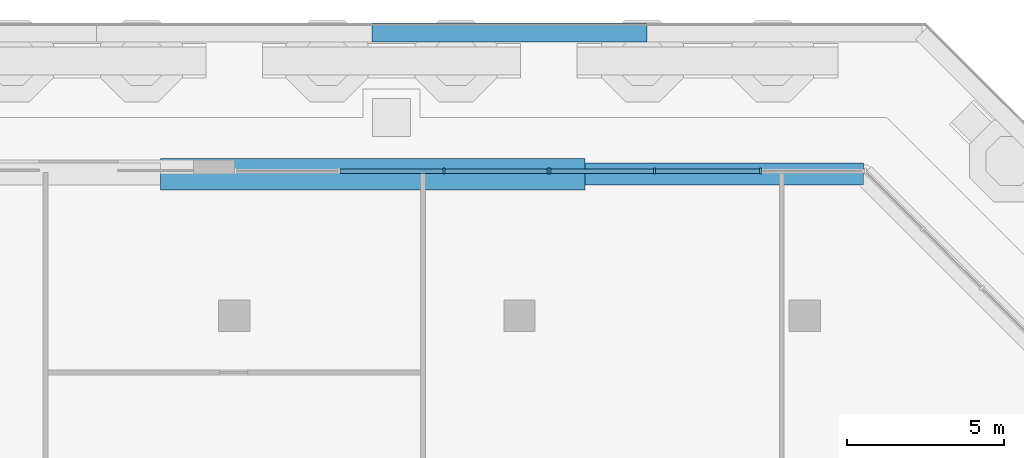
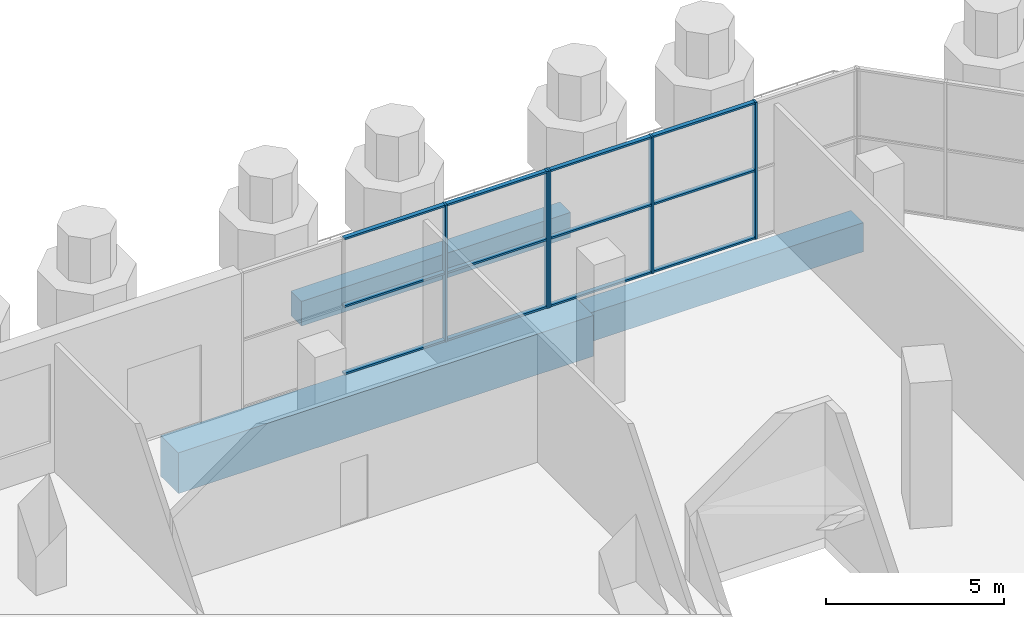
# One storey, part 15 of 32: 17 members, 3 beams, 2 elements without a shape of their own.
"""IFC4 building model written with IfcOpenShell, lengths in metres."""

from ifc_helpers import new_model, si_unit, direction, frame, origin, origin_2d, place, context, subcontext, project, spatial, rectangle, extrude, material, material_profile, profile_set, type_object, element, aggregate, save


model = new_model("IFC4")

# Units and contexts
model_context = context("Model", 3, precision=1e-05, world=origin(), true_north=direction((0.0, 1.0)))
body_context = subcontext(model_context, "Body", "Model", "MODEL_VIEW")
ifc_project = project(units=[si_unit("LENGTHUNIT", "METRE"), si_unit("AREAUNIT", "SQUARE_METRE"), si_unit("VOLUMEUNIT", "CUBIC_METRE"), si_unit("PLANEANGLEUNIT", "RADIAN"), si_unit("MASSUNIT", "GRAM", prefix="KILO")], contexts=[model_context])

# Site, building, storey
site_placement = place(None, origin())
site = spatial("IfcSite", under=ifc_project, at=site_placement, CompositionType="ELEMENT")
building_placement = place(site_placement, origin())
building = spatial("IfcBuilding", under=site, at=building_placement, Name="Msitu Wima Residences", CompositionType="ELEMENT")
storey_placement = place(building_placement, frame((0.0, 0.0, 6.0)))
storey = spatial("IfcBuildingStorey", under=building, at=storey_placement, Name="L01", CompositionType="ELEMENT", Elevation=6.0)

# Curtain wall, members
ifc_material_1 = material(Name="Anodised aluminium, bronze finish, clear low-emissivity double glazing", Category="aluminium")
curtain_wall_type = type_object("IfcCurtainWallType", Name="Curtain wall CW5 retail shopfront", PredefinedType="NOTDEFINED", material=ifc_material_1)
curtain_wall_1_placement = place(storey_placement, origin())
curtain_wall_1 = element("IfcCurtainWall", 1, at=curtain_wall_1_placement, inside=storey, type_object=curtain_wall_type, Name="Curtain wall CW5 L01 N0", PredefinedType="NOTDEFINED")
ifc_material_2 = material(Name="Anodised aluminium, bronze finish", Category="aluminium")
ifc_material_profile_1 = material_profile(ifc_material_2, rectangle(XDim=0.179931640625, YDim=0.06494140625, at=origin_2d()), Name="Mullion 65x180")
ifc_profile_set_1 = profile_set([ifc_material_profile_1], Name="Anodised aluminium, bronze finish")
member_type_1 = type_object("IfcMemberType", Name="Mullion CW5 65x180", PredefinedType="MULLION", material=ifc_profile_set_1)
member_1_placement = place(storey_placement, frame((16.721923828125, 42.39990234375, 0.0), z_axis=(0.0, 0.0, 1.0), x_axis=(0.0, -1.0, 0.0)))
member_1 = element("IfcMember", 2, at=member_1_placement, type_object=member_type_1, Name="CW5 mullion 2", PredefinedType="MULLION", context=body_context, shape_type="SweptSolid", body=[
    extrude(rectangle(XDim=0.179931640625, YDim=0.06494140625, at=origin_2d()), origin(), (0.0, 0.0, 1.0), 4.699951171875),
])
member_2_placement = place(storey_placement, frame((13.35888671875, 42.39990234375, 0.0), z_axis=(0.0, 0.0, 1.0), x_axis=(0.0, -1.0, 0.0)))
member_2 = element("IfcMember", 3, at=member_2_placement, type_object=member_type_1, Name="CW5 mullion 3", PredefinedType="MULLION", context=body_context, shape_type="SweptSolid", body=[
    extrude(rectangle(XDim=0.179931640625, YDim=0.06494140625, at=origin_2d()), origin(), (0.0, 0.0, 1.0), 4.699951171875),
])
member_3_placement = place(storey_placement, frame((10.0283203125, 42.39990234375, 0.0), z_axis=(0.0, 0.0, 1.0), x_axis=(0.0, -1.0, 0.0)))
member_3 = element("IfcMember", 4, at=member_3_placement, type_object=member_type_1, Name="CW5 mullion 4", PredefinedType="MULLION", context=body_context, shape_type="SweptSolid", body=[
    extrude(rectangle(XDim=0.179931640625, YDim=0.06494140625, at=origin_2d()), origin(), (0.0, 0.0, 1.0), 4.699951171875),
])

curtain_wall_2_placement = place(storey_placement, origin())
curtain_wall_2 = element("IfcCurtainWall", 5, at=curtain_wall_2_placement, inside=storey, type_object=curtain_wall_type, Name="Curtain wall CW5 L01 N1", PredefinedType="NOTDEFINED")
member_4_placement = place(storey_placement, frame((9.96337890625, 42.39990234375, 0.0), z_axis=(0.0, 0.0, 1.0), x_axis=(0.0, -1.0, 0.0)))
member_4 = element("IfcMember", 6, at=member_4_placement, type_object=member_type_1, Name="CW5 mullion 1", PredefinedType="MULLION", context=body_context, shape_type="SweptSolid", body=[
    extrude(rectangle(XDim=0.179931640625, YDim=0.06494140625, at=origin_2d()), origin(), (0.0, 0.0, 1.0), 4.699951171875),
])
member_5_placement = place(storey_placement, frame((6.6640625, 42.39990234375, 0.0), z_axis=(0.0, 0.0, 1.0), x_axis=(0.0, -1.0, 0.0)))
member_5 = element("IfcMember", 7, at=member_5_placement, type_object=member_type_1, Name="CW5 mullion 2", PredefinedType="MULLION", context=body_context, shape_type="SweptSolid", body=[
    extrude(rectangle(XDim=0.179931640625, YDim=0.06494140625, at=origin_2d()), origin(), (0.0, 0.0, 1.0), 4.699951171875),
])

# Beams
ifc_material_3 = material(Name="Concrete C60/75", Category="concrete")
ifc_material_profile_2 = material_profile(ifc_material_3, rectangle(XDim=1.0, YDim=1.39990234375, at=origin_2d()), Name="RC 1000x1400")
ifc_profile_set_2 = profile_set([ifc_material_profile_2], Name="Concrete C60/75")
beam_type_1 = type_object("IfcBeamType", Name="Terrace beam RC 1000x1400 Concrete C60/75", PredefinedType="BEAM", material=ifc_profile_set_2)
beam_1_placement = place(storey_placement, frame((11.14404296875, 42.300048828125, -1.050048828125), z_axis=(-1.0, 0.0, 0.0), x_axis=(0.0, -1.0, 0.0)))
element("IfcBeam", 8, at=beam_1_placement, inside=storey, type_object=beam_type_1, Name="Terrace upstand-line beam L01 T20", PredefinedType="BEAM", context=body_context, shape_type="SweptSolid", body=[
    extrude(rectangle(XDim=1.0, YDim=1.39990234375, at=origin_2d()), origin(), (0.0, 0.0, 1.0), 13.485595703125),
])
ifc_material_profile_3 = material_profile(ifc_material_3, rectangle(XDim=0.60009765625, YDim=0.85009765625, at=origin_2d()), Name="RC 600x850")
ifc_profile_set_3 = profile_set([ifc_material_profile_3], Name="Concrete C60/75")
beam_type_2 = type_object("IfcBeamType", Name="Terrace beam RC 600x850 Concrete C60/75", PredefinedType="BEAM", material=ifc_profile_set_3)
beam_2_placement = place(storey_placement, frame((13.113525390625, 46.800048828125, -0.77490234375), z_axis=(-1.0, 0.0, 0.0), x_axis=(0.0, -1.0, 0.0)))
element("IfcBeam", 9, at=beam_2_placement, inside=storey, type_object=beam_type_2, Name="Terrace edge beam L00 C-N1", PredefinedType="BEAM", context=body_context, shape_type="SweptSolid", body=[
    extrude(rectangle(XDim=0.60009765625, YDim=0.85009765625, at=origin_2d()), origin(), (0.0, 0.0, 1.0), 8.742431640625),
])
ifc_material_profile_4 = material_profile(ifc_material_3, rectangle(XDim=0.699951171875, YDim=1.0, at=origin_2d()), Name="RC 700x1000")
ifc_profile_set_4 = profile_set([ifc_material_profile_4], Name="Concrete C60/75")
beam_type_3 = type_object("IfcBeamType", Name="Terrace beam RC 700x1000 Concrete C60/75", PredefinedType="BEAM", material=ifc_profile_set_4)
beam_3_placement = place(storey_placement, frame((19.991943359375, 42.300048828125, -0.85009765625), z_axis=(-1.0, 0.0, 0.0), x_axis=(0.0, -1.0, 0.0)))
element("IfcBeam", 10, at=beam_3_placement, inside=storey, type_object=beam_type_3, Name="Terrace upstand-line beam L01 T19", PredefinedType="BEAM", context=body_context, shape_type="SweptSolid", body=[
    extrude(rectangle(XDim=0.699951171875, YDim=1.0, at=origin_2d()), origin(), (0.0, 0.0, 1.0), 8.847900390625),
])

# Member
ifc_material_profile_5 = material_profile(ifc_material_2, rectangle(XDim=0.139892578125, YDim=0.06494140625, at=origin_2d()), Name="Transom 65x140")
ifc_profile_set_5 = profile_set([ifc_material_profile_5], Name="Anodised aluminium, bronze finish")
member_type_2 = type_object("IfcMemberType", Name="Transom CW5 65x140", PredefinedType="USERDEFINED", material=ifc_profile_set_5)
member_6_placement = place(storey_placement, frame((16.689453125, 42.39990234375, 0.032470703125), z_axis=(-1.0, 0.0, 0.0), x_axis=(0.0, -1.0, 0.0)))
member_6 = element("IfcMember", 11, at=member_6_placement, type_object=member_type_2, Name="CW5 transom 2.1", ObjectType="TRANSOM", PredefinedType="USERDEFINED", context=body_context, shape_type="SweptSolid", body=[
    extrude(rectangle(XDim=0.139892578125, YDim=0.06494140625, at=origin_2d()), origin(), (0.0, 0.0, 1.0), 3.2978515625),
])

member_7_placement = place(storey_placement, frame((16.689453125, 42.39990234375, 2.35009765625), z_axis=(-1.0, 0.0, 0.0), x_axis=(0.0, -1.0, 0.0)))
member_7 = element("IfcMember", 12, at=member_7_placement, type_object=member_type_2, Name="CW5 transom 2.2", ObjectType="TRANSOM", PredefinedType="USERDEFINED", context=body_context, shape_type="SweptSolid", body=[
    extrude(rectangle(XDim=0.139892578125, YDim=0.06494140625, at=origin_2d()), origin(), (0.0, 0.0, 1.0), 3.2978515625),
])

member_8_placement = place(storey_placement, frame((16.689453125, 42.39990234375, 4.66748046875), z_axis=(-1.0, 0.0, 0.0), x_axis=(0.0, -1.0, 0.0)))
member_8 = element("IfcMember", 13, at=member_8_placement, type_object=member_type_2, Name="CW5 transom 2.3", ObjectType="TRANSOM", PredefinedType="USERDEFINED", context=body_context, shape_type="SweptSolid", body=[
    extrude(rectangle(XDim=0.139892578125, YDim=0.06494140625, at=origin_2d()), origin(), (0.0, 0.0, 1.0), 3.2978515625),
])

member_9_placement = place(storey_placement, frame((13.326416015625, 42.39990234375, 0.032470703125), z_axis=(-1.0, 0.0, 0.0), x_axis=(0.0, -1.0, 0.0)))
member_9 = element("IfcMember", 14, at=member_9_placement, type_object=member_type_2, Name="CW5 transom 3.1", ObjectType="TRANSOM", PredefinedType="USERDEFINED", context=body_context, shape_type="SweptSolid", body=[
    extrude(rectangle(XDim=0.139892578125, YDim=0.06494140625, at=origin_2d()), origin(), (0.0, 0.0, 1.0), 3.265380859375),
])

member_10_placement = place(storey_placement, frame((13.326416015625, 42.39990234375, 2.35009765625), z_axis=(-1.0, 0.0, 0.0), x_axis=(0.0, -1.0, 0.0)))
member_10 = element("IfcMember", 15, at=member_10_placement, type_object=member_type_2, Name="CW5 transom 3.2", ObjectType="TRANSOM", PredefinedType="USERDEFINED", context=body_context, shape_type="SweptSolid", body=[
    extrude(rectangle(XDim=0.139892578125, YDim=0.06494140625, at=origin_2d()), origin(), (0.0, 0.0, 1.0), 3.265380859375),
])

member_11_placement = place(storey_placement, frame((13.326416015625, 42.39990234375, 4.66748046875), z_axis=(-1.0, 0.0, 0.0), x_axis=(0.0, -1.0, 0.0)))
member_11 = element("IfcMember", 16, at=member_11_placement, type_object=member_type_2, Name="CW5 transom 3.3", ObjectType="TRANSOM", PredefinedType="USERDEFINED", context=body_context, shape_type="SweptSolid", body=[
    extrude(rectangle(XDim=0.139892578125, YDim=0.06494140625, at=origin_2d()), origin(), (0.0, 0.0, 1.0), 3.265380859375),
])

aggregate(curtain_wall_1, [member_1, member_2, member_3, member_6, member_7, member_8, member_9, member_10, member_11])

member_12_placement = place(storey_placement, frame((9.930908203125, 42.39990234375, 0.032470703125), z_axis=(-1.0, 0.0, 0.0), x_axis=(0.0, -1.0, 0.0)))
member_12 = element("IfcMember", 17, at=member_12_placement, type_object=member_type_2, Name="CW5 transom 1.1", ObjectType="TRANSOM", PredefinedType="USERDEFINED", context=body_context, shape_type="SweptSolid", body=[
    extrude(rectangle(XDim=0.139892578125, YDim=0.06494140625, at=origin_2d()), origin(), (0.0, 0.0, 1.0), 3.234375),
])

member_13_placement = place(storey_placement, frame((9.930908203125, 42.39990234375, 2.35009765625), z_axis=(-1.0, 0.0, 0.0), x_axis=(0.0, -1.0, 0.0)))
member_13 = element("IfcMember", 18, at=member_13_placement, type_object=member_type_2, Name="CW5 transom 1.2", ObjectType="TRANSOM", PredefinedType="USERDEFINED", context=body_context, shape_type="SweptSolid", body=[
    extrude(rectangle(XDim=0.139892578125, YDim=0.06494140625, at=origin_2d()), origin(), (0.0, 0.0, 1.0), 3.234375),
])

member_14_placement = place(storey_placement, frame((9.930908203125, 42.39990234375, 4.66748046875), z_axis=(-1.0, 0.0, 0.0), x_axis=(0.0, -1.0, 0.0)))
member_14 = element("IfcMember", 19, at=member_14_placement, type_object=member_type_2, Name="CW5 transom 1.3", ObjectType="TRANSOM", PredefinedType="USERDEFINED", context=body_context, shape_type="SweptSolid", body=[
    extrude(rectangle(XDim=0.139892578125, YDim=0.06494140625, at=origin_2d()), origin(), (0.0, 0.0, 1.0), 3.234375),
])

member_15_placement = place(storey_placement, frame((6.63134765625, 42.39990234375, 0.032470703125), z_axis=(-1.0, 0.0, 0.0), x_axis=(0.0, -1.0, 0.0)))
member_15 = element("IfcMember", 20, at=member_15_placement, type_object=member_type_2, Name="CW5 transom 2.1", ObjectType="TRANSOM", PredefinedType="USERDEFINED", context=body_context, shape_type="SweptSolid", body=[
    extrude(rectangle(XDim=0.139892578125, YDim=0.06494140625, at=origin_2d()), origin(), (0.0, 0.0, 1.0), 3.266845703125),
])

member_16_placement = place(storey_placement, frame((6.63134765625, 42.39990234375, 2.35009765625), z_axis=(-1.0, 0.0, 0.0), x_axis=(0.0, -1.0, 0.0)))
member_16 = element("IfcMember", 21, at=member_16_placement, type_object=member_type_2, Name="CW5 transom 2.2", ObjectType="TRANSOM", PredefinedType="USERDEFINED", context=body_context, shape_type="SweptSolid", body=[
    extrude(rectangle(XDim=0.139892578125, YDim=0.06494140625, at=origin_2d()), origin(), (0.0, 0.0, 1.0), 3.266845703125),
])

member_17_placement = place(storey_placement, frame((6.63134765625, 42.39990234375, 4.66748046875), z_axis=(-1.0, 0.0, 0.0), x_axis=(0.0, -1.0, 0.0)))
member_17 = element("IfcMember", 22, at=member_17_placement, type_object=member_type_2, Name="CW5 transom 2.3", ObjectType="TRANSOM", PredefinedType="USERDEFINED", context=body_context, shape_type="SweptSolid", body=[
    extrude(rectangle(XDim=0.139892578125, YDim=0.06494140625, at=origin_2d()), origin(), (0.0, 0.0, 1.0), 3.266845703125),
])

aggregate(curtain_wall_2, [member_4, member_5, member_12, member_13, member_14, member_15, member_16, member_17])

save(model, "model.ifc")
